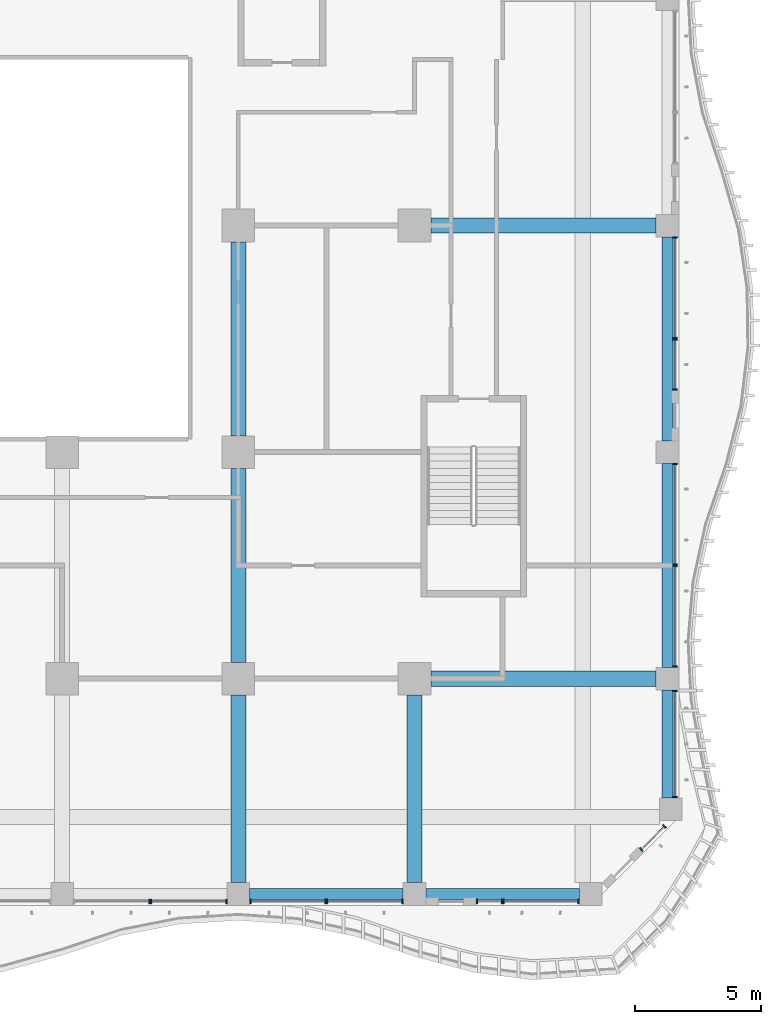
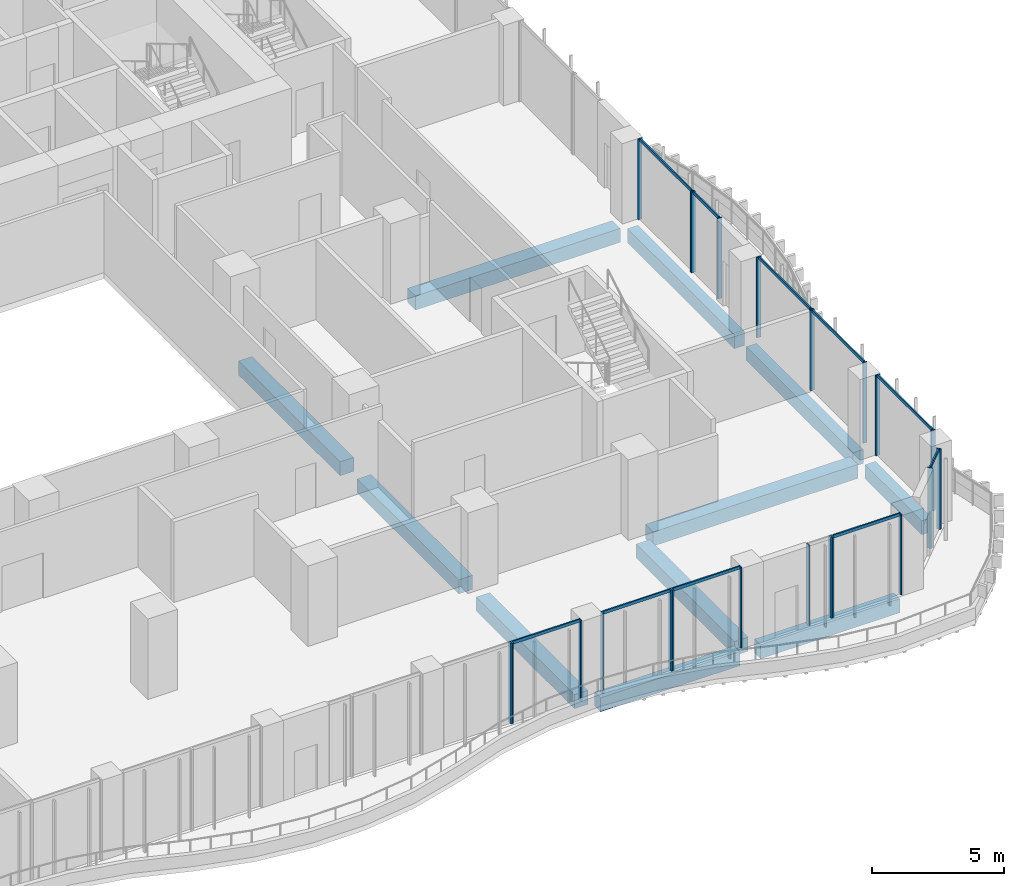
# One storey, part 6 of 26: 33 members, 11 beams, 12 elements without a shape of their own.
"""IFC4 building model written with IfcOpenShell, lengths in metres."""

from ifc_helpers import new_model, si_unit, direction, frame, origin, origin_2d, place, context, subcontext, project, spatial, rectangle, extrude, source, transform, mapped, material, material_profile, profile_set, type_object, element, aggregate, save


model = new_model("IFC4")

# Units and contexts
model_context = context("Model", 3, precision=1e-05, world=origin(), true_north=direction((0.0, 1.0)))
body_context = subcontext(model_context, "Body", "Model", "MODEL_VIEW")
ifc_project = project(units=[si_unit("LENGTHUNIT", "METRE"), si_unit("AREAUNIT", "SQUARE_METRE"), si_unit("VOLUMEUNIT", "CUBIC_METRE"), si_unit("PLANEANGLEUNIT", "RADIAN"), si_unit("MASSUNIT", "GRAM", prefix="KILO")], contexts=[model_context])

# Site, building, storey
site_placement = place(None, origin())
site = spatial("IfcSite", under=ifc_project, at=site_placement, CompositionType="ELEMENT")
building_placement = place(site_placement, origin())
building = spatial("IfcBuilding", under=site, at=building_placement, Name="Kilnfold Tower and Market Hall", CompositionType="ELEMENT")
storey_placement = place(building_placement, frame((0.0, 0.0, 31.0)))
storey = spatial("IfcBuildingStorey", under=building, at=storey_placement, Name="L06", CompositionType="ELEMENT", Elevation=31.0)

# Beams
ifc_material_1 = material(Name="Concrete C45", Category="concrete")
ifc_material_profile_1 = material_profile(ifc_material_1, rectangle(XDim=0.449951171875, YDim=0.64990234375, at=origin_2d()), Name="RC 450x650")
ifc_profile_set_1 = profile_set([ifc_material_profile_1], Name="Concrete C45")
beam_type_1 = type_object("IfcBeamType", Name="EDGE BEAM 450X650 C45", PredefinedType="BEAM", material=ifc_profile_set_1)
shared_shape_1 = source(origin(), body_context, "Body", "SweptSolid", [
    extrude(rectangle(XDim=0.449951171875, YDim=0.64990234375, at=origin_2d()), origin(), (0.0, 0.0, 1.0), 6.10009765625),
])
for number, where, z_axis, x_axis, name in (
    (1, (10.949951171875, -27.550048828125, -0.60498046875), (1.0, 0.0, 0.0), (0.0, 1.0, 0.0), "Beam EB650-B1.5"),
    (2, (17.949951171875, -27.550048828125, -0.60498046875), (1.0, 0.0, 0.0), (0.0, 1.0, 0.0), "Beam EB650-B1.6"),
):
    element("IfcBeam", number, at=place(storey_placement, frame(where, z_axis=z_axis, x_axis=x_axis)), inside=storey, type_object=beam_type_1, Name=name, PredefinedType="BEAM", context=body_context, shape_type="MappedRepresentation", body=[
        mapped(shared_shape_1, transform((0.0, 0.0, 0.0))),
    ])
ifc_material_2 = material(Name="Concrete C45", Category="concrete")
ifc_material_profile_2 = material_profile(ifc_material_2, rectangle(XDim=0.60009765625, YDim=0.64990234375, at=origin_2d()), Name="RC 600x650")
ifc_profile_set_2 = profile_set([ifc_material_profile_2], Name="Concrete C45")
beam_type_2 = type_object("IfcBeamType", Name="BEAM 600X650 C45", PredefinedType="BEAM", material=ifc_profile_set_2)
shared_shape_2 = source(origin(), body_context, "Body", "SweptSolid", [
    extrude(rectangle(XDim=0.60009765625, YDim=0.64990234375, at=origin_2d()), origin(), (0.0, 0.0, 1.0), 8.9501953125),
])
for number, where, z_axis, x_axis, name in (
    (3, (18.14990234375, -19.0, -0.60498046875), (1.0, 0.0, 0.0), (0.0, 1.0, 0.0), "Beam BB650-B1.12"),
    (4, (18.14990234375, -1.0, -0.60498046875), (1.0, 0.0, 0.0), (0.0, 1.0, 0.0), "Beam BB650-B1.20"),
):
    element("IfcBeam", number, at=place(storey_placement, frame(where, z_axis=z_axis, x_axis=x_axis)), inside=storey, type_object=beam_type_2, Name=name, PredefinedType="BEAM", context=body_context, shape_type="MappedRepresentation", body=[
        mapped(shared_shape_2, transform((0.0, 0.0, 0.0))),
    ])
shared_shape_3 = source(origin(), body_context, "Body", "SweptSolid", [
    extrude(rectangle(XDim=0.449951171875, YDim=0.64990234375, at=origin_2d()), origin(), (0.0, 0.0, 1.0), 8.10009765625),
])
for number, where, z_axis, x_axis, name in (
    (5, (27.550048828125, -18.550048828125, -0.60498046875), (0.0, 1.0, 0.0), (-1.0, 0.0, 0.0), "Beam EB650-B1.52"),
    (6, (27.550048828125, -9.550048828125, -0.60498046875), (0.0, 1.0, 0.0), (-1.0, 0.0, 0.0), "Beam EB650-B1.58"),
):
    element("IfcBeam", number, at=place(storey_placement, frame(where, z_axis=z_axis, x_axis=x_axis)), inside=storey, type_object=beam_type_1, Name=name, PredefinedType="BEAM", context=body_context, shape_type="MappedRepresentation", body=[
        mapped(shared_shape_3, transform((0.0, 0.0, 0.0))),
    ])
shared_shape_4 = source(origin(), body_context, "Body", "SweptSolid", [
    extrude(rectangle(XDim=0.60009765625, YDim=0.64990234375, at=origin_2d()), origin(), (0.0, 0.0, 1.0), 7.4501953125),
])
for number, where, z_axis, x_axis, name in (
    (7, (10.5, -27.10009765625, -0.60498046875), (0.0, 1.0, 0.0), (-1.0, 0.0, 0.0), "Beam BB650-B1.47"),
    (8, (17.5, -27.10009765625, -0.60498046875), (0.0, 1.0, 0.0), (-1.0, 0.0, 0.0), "Beam BB650-B1.50"),
):
    element("IfcBeam", number, at=place(storey_placement, frame(where, z_axis=z_axis, x_axis=x_axis)), inside=storey, type_object=beam_type_2, Name=name, PredefinedType="BEAM", context=body_context, shape_type="MappedRepresentation", body=[
        mapped(shared_shape_4, transform((0.0, 0.0, 0.0))),
    ])
shared_shape_5 = source(origin(), body_context, "Body", "SweptSolid", [
    extrude(rectangle(XDim=0.60009765625, YDim=0.64990234375, at=origin_2d()), origin(), (0.0, 0.0, 1.0), 7.7001953125),
])
for number, where, z_axis, x_axis, name in (
    (9, (10.5, -18.35009765625, -0.60498046875), (0.0, 1.0, 0.0), (-1.0, 0.0, 0.0), "Beam BB650-B1.48"),
    (10, (10.5, -9.35009765625, -0.60498046875), (0.0, 1.0, 0.0), (-1.0, 0.0, 0.0), "Beam BB650-B1.49"),
):
    element("IfcBeam", number, at=place(storey_placement, frame(where, z_axis=z_axis, x_axis=x_axis)), inside=storey, type_object=beam_type_2, Name=name, PredefinedType="BEAM", context=body_context, shape_type="MappedRepresentation", body=[
        mapped(shared_shape_5, transform((0.0, 0.0, 0.0))),
    ])
shared_shape_6 = source(origin(), body_context, "Body", "SweptSolid", [
    extrude(rectangle(XDim=0.449951171875, YDim=0.64990234375, at=origin_2d()), origin(), (0.0, 0.0, 1.0), 4.28173828125),
])
beam_placement = place(storey_placement, frame((27.550048828125, -23.731689453125, -0.60498046875), z_axis=(0.0, 1.0, 0.0), x_axis=(-1.0, 0.0, 0.0)))
element("IfcBeam", 11, at=beam_placement, inside=storey, type_object=beam_type_1, Name="Beam EB650-B1.51", PredefinedType="BEAM", context=body_context, shape_type="MappedRepresentation", body=[
    mapped(shared_shape_6, transform((0.0, 0.0, 0.0))),
])

# Curtain wall, member
ifc_material_3 = material(Name="Aluminium and double glazing", Category="aluminium")
curtain_wall_type = type_object("IfcCurtainWallType", Name="CW OF1 VALLEY GLAZING", PredefinedType="NOTDEFINED", material=ifc_material_3)
curtain_wall_1_placement = place(storey_placement, origin())
curtain_wall_1 = element("IfcCurtainWall", 12, at=curtain_wall_1_placement, inside=storey, type_object=curtain_wall_type, Name="Curtain wall CW1 L06 S", PredefinedType="NOTDEFINED")
ifc_material_4 = material(Name="Aluminium", Category="aluminium")
ifc_material_profile_3 = material_profile(ifc_material_4, rectangle(XDim=0.06005859375, YDim=0.179931640625, at=origin_2d()), Name="MULLION 60x180")
ifc_profile_set_3 = profile_set([ifc_material_profile_3], Name="Aluminium")
member_type_1 = type_object("IfcMemberType", Name="MULLION 60X180", PredefinedType="MULLION", material=ifc_profile_set_3)
shared_shape_7 = source(origin(), body_context, "Body", "SweptSolid", [
    extrude(rectangle(XDim=0.06005859375, YDim=0.179931640625, at=origin_2d()), origin(), (0.0, 0.0, 1.0), 3.719970703125),
])
member_1_placement = place(storey_placement, frame((6.969970703125, -27.85009765625, 0.0), z_axis=(0.0, 0.0, 1.0), x_axis=(1.0, 0.0, 0.0)))
member_1 = element("IfcMember", 13, at=member_1_placement, type_object=member_type_1, Name="CW1 mullion 2", PredefinedType="MULLION", context=body_context, shape_type="MappedRepresentation", body=[
    mapped(shared_shape_7, transform((0.0, 0.0, 0.0))),
])
aggregate(curtain_wall_1, [member_1])

# Curtain wall, members
curtain_wall_2_placement = place(storey_placement, origin())
curtain_wall_2 = element("IfcCurtainWall", 14, at=curtain_wall_2_placement, inside=storey, type_object=curtain_wall_type, Name="Curtain wall CW1 L06 S", PredefinedType="NOTDEFINED")
member_2_placement = place(storey_placement, frame((7.030029296875, -27.85009765625, 0.0), z_axis=(0.0, 0.0, 1.0), x_axis=(1.0, 0.0, 0.0)))
member_2 = element("IfcMember", 15, at=member_2_placement, type_object=member_type_1, Name="CW1 mullion 1", PredefinedType="MULLION", context=body_context, shape_type="MappedRepresentation", body=[
    mapped(shared_shape_7, transform((0.0, 0.0, 0.0))),
])
member_3_placement = place(storey_placement, frame((10.02001953125, -27.85009765625, 0.0), z_axis=(0.0, 0.0, 1.0), x_axis=(1.0, 0.0, 0.0)))
member_3 = element("IfcMember", 16, at=member_3_placement, type_object=member_type_1, Name="CW1 mullion 2", PredefinedType="MULLION", context=body_context, shape_type="MappedRepresentation", body=[
    mapped(shared_shape_7, transform((0.0, 0.0, 0.0))),
])

curtain_wall_3_placement = place(storey_placement, origin())
curtain_wall_3 = element("IfcCurtainWall", 17, at=curtain_wall_3_placement, inside=storey, type_object=curtain_wall_type, Name="Curtain wall CW1 L06 S", PredefinedType="NOTDEFINED")
member_4_placement = place(storey_placement, frame((10.97998046875, -27.85009765625, 0.0), z_axis=(0.0, 0.0, 1.0), x_axis=(1.0, 0.0, 0.0)))
member_4 = element("IfcMember", 18, at=member_4_placement, type_object=member_type_1, Name="CW1 mullion 1", PredefinedType="MULLION", context=body_context, shape_type="MappedRepresentation", body=[
    mapped(shared_shape_7, transform((0.0, 0.0, 0.0))),
])
member_5_placement = place(storey_placement, frame((13.969970703125, -27.85009765625, 0.0), z_axis=(0.0, 0.0, 1.0), x_axis=(1.0, 0.0, 0.0)))
member_5 = element("IfcMember", 19, at=member_5_placement, type_object=member_type_1, Name="CW1 mullion 2", PredefinedType="MULLION", context=body_context, shape_type="MappedRepresentation", body=[
    mapped(shared_shape_7, transform((0.0, 0.0, 0.0))),
])

curtain_wall_4_placement = place(storey_placement, origin())
curtain_wall_4 = element("IfcCurtainWall", 20, at=curtain_wall_4_placement, inside=storey, type_object=curtain_wall_type, Name="Curtain wall CW1 L06 S", PredefinedType="NOTDEFINED")
member_6_placement = place(storey_placement, frame((14.030029296875, -27.85009765625, 0.0), z_axis=(0.0, 0.0, 1.0), x_axis=(1.0, 0.0, 0.0)))
member_6 = element("IfcMember", 21, at=member_6_placement, type_object=member_type_1, Name="CW1 mullion 1", PredefinedType="MULLION", context=body_context, shape_type="MappedRepresentation", body=[
    mapped(shared_shape_7, transform((0.0, 0.0, 0.0))),
])
member_7_placement = place(storey_placement, frame((17.02001953125, -27.85009765625, 0.0), z_axis=(0.0, 0.0, 1.0), x_axis=(1.0, 0.0, 0.0)))
member_7 = element("IfcMember", 22, at=member_7_placement, type_object=member_type_1, Name="CW1 mullion 2", PredefinedType="MULLION", context=body_context, shape_type="MappedRepresentation", body=[
    mapped(shared_shape_7, transform((0.0, 0.0, 0.0))),
])

curtain_wall_5_placement = place(storey_placement, origin())
curtain_wall_5 = element("IfcCurtainWall", 23, at=curtain_wall_5_placement, inside=storey, type_object=curtain_wall_type, Name="Curtain wall CW1 L06 S", PredefinedType="NOTDEFINED")
member_8_placement = place(storey_placement, frame((19.97998046875, -27.85009765625, 0.0), z_axis=(0.0, 0.0, 1.0), x_axis=(1.0, 0.0, 0.0)))
member_8 = element("IfcMember", 24, at=member_8_placement, type_object=member_type_1, Name="CW1 mullion 1", PredefinedType="MULLION", context=body_context, shape_type="MappedRepresentation", body=[
    mapped(shared_shape_7, transform((0.0, 0.0, 0.0))),
])
member_9_placement = place(storey_placement, frame((20.969970703125, -27.85009765625, 0.0), z_axis=(0.0, 0.0, 1.0), x_axis=(1.0, 0.0, 0.0)))
member_9 = element("IfcMember", 25, at=member_9_placement, type_object=member_type_1, Name="CW1 mullion 2", PredefinedType="MULLION", context=body_context, shape_type="MappedRepresentation", body=[
    mapped(shared_shape_7, transform((0.0, 0.0, 0.0))),
])
aggregate(curtain_wall_5, [member_8, member_9])

curtain_wall_6_placement = place(storey_placement, origin())
curtain_wall_6 = element("IfcCurtainWall", 26, at=curtain_wall_6_placement, inside=storey, type_object=curtain_wall_type, Name="Curtain wall CW1 L06 S", PredefinedType="NOTDEFINED")
member_10_placement = place(storey_placement, frame((21.030029296875, -27.85009765625, 0.0), z_axis=(0.0, 0.0, 1.0), x_axis=(1.0, 0.0, 0.0)))
member_10 = element("IfcMember", 27, at=member_10_placement, type_object=member_type_1, Name="CW1 mullion 1", PredefinedType="MULLION", context=body_context, shape_type="MappedRepresentation", body=[
    mapped(shared_shape_7, transform((0.0, 0.0, 0.0))),
])
member_11_placement = place(storey_placement, frame((24.02001953125, -27.85009765625, 0.0), z_axis=(0.0, 0.0, 1.0), x_axis=(1.0, 0.0, 0.0)))
member_11 = element("IfcMember", 28, at=member_11_placement, type_object=member_type_1, Name="CW1 mullion 2", PredefinedType="MULLION", context=body_context, shape_type="MappedRepresentation", body=[
    mapped(shared_shape_7, transform((0.0, 0.0, 0.0))),
])

curtain_wall_7_placement = place(storey_placement, origin())
curtain_wall_7 = element("IfcCurtainWall", 29, at=curtain_wall_7_placement, inside=storey, type_object=curtain_wall_type, Name="Curtain wall CW1 L06 SE", PredefinedType="NOTDEFINED")
member_12_placement = place(storey_placement, frame((26.50439453125, -25.783447265625, 0.0), z_axis=(0.0, 0.0, 1.0), x_axis=(0.707106781187, 0.707106781187, 0.0)))
member_12 = element("IfcMember", 30, at=member_12_placement, type_object=member_type_1, Name="CW1 mullion 1", PredefinedType="MULLION", context=body_context, shape_type="MappedRepresentation", body=[
    mapped(shared_shape_7, transform((0.0, 0.0, 0.0))),
])
member_13_placement = place(storey_placement, frame((27.4228515625, -24.865234375, 0.0), z_axis=(0.0, 0.0, 1.0), x_axis=(0.707106781187, 0.707106781187, 0.0)))
member_13 = element("IfcMember", 31, at=member_13_placement, type_object=member_type_1, Name="CW1 mullion 2", PredefinedType="MULLION", context=body_context, shape_type="MappedRepresentation", body=[
    mapped(shared_shape_7, transform((0.0, 0.0, 0.0))),
])

curtain_wall_8_placement = place(storey_placement, origin())
curtain_wall_8 = element("IfcCurtainWall", 32, at=curtain_wall_8_placement, inside=storey, type_object=curtain_wall_type, Name="Curtain wall CW1 L06 E", PredefinedType="NOTDEFINED")
member_14_placement = place(storey_placement, frame((27.85009765625, -23.701904296875, 0.0), z_axis=(0.0, 0.0, 1.0), x_axis=(0.0, 1.0, 0.0)))
member_14 = element("IfcMember", 33, at=member_14_placement, type_object=member_type_1, Name="CW1 mullion 1", PredefinedType="MULLION", context=body_context, shape_type="MappedRepresentation", body=[
    mapped(shared_shape_7, transform((0.0, 0.0, 0.0))),
])
member_15_placement = place(storey_placement, frame((27.85009765625, -19.47998046875, 0.0), z_axis=(0.0, 0.0, 1.0), x_axis=(0.0, 1.0, 0.0)))
member_15 = element("IfcMember", 34, at=member_15_placement, type_object=member_type_1, Name="CW1 mullion 2", PredefinedType="MULLION", context=body_context, shape_type="MappedRepresentation", body=[
    mapped(shared_shape_7, transform((0.0, 0.0, 0.0))),
])

curtain_wall_9_placement = place(storey_placement, origin())
curtain_wall_9 = element("IfcCurtainWall", 35, at=curtain_wall_9_placement, inside=storey, type_object=curtain_wall_type, Name="Curtain wall CW1 L06 E", PredefinedType="NOTDEFINED")
member_16_placement = place(storey_placement, frame((27.85009765625, -18.52001953125, 0.0), z_axis=(0.0, 0.0, 1.0), x_axis=(0.0, 1.0, 0.0)))
member_16 = element("IfcMember", 36, at=member_16_placement, type_object=member_type_1, Name="CW1 mullion 1", PredefinedType="MULLION", context=body_context, shape_type="MappedRepresentation", body=[
    mapped(shared_shape_7, transform((0.0, 0.0, 0.0))),
])
member_17_placement = place(storey_placement, frame((27.85009765625, -14.530029296875, 0.0), z_axis=(0.0, 0.0, 1.0), x_axis=(0.0, 1.0, 0.0)))
member_17 = element("IfcMember", 37, at=member_17_placement, type_object=member_type_1, Name="CW1 mullion 2", PredefinedType="MULLION", context=body_context, shape_type="MappedRepresentation", body=[
    mapped(shared_shape_7, transform((0.0, 0.0, 0.0))),
])

curtain_wall_10_placement = place(storey_placement, origin())
curtain_wall_10 = element("IfcCurtainWall", 38, at=curtain_wall_10_placement, inside=storey, type_object=curtain_wall_type, Name="Curtain wall CW1 L06 E", PredefinedType="NOTDEFINED")
member_18_placement = place(storey_placement, frame((27.85009765625, -14.469970703125, 0.0), z_axis=(0.0, 0.0, 1.0), x_axis=(0.0, 1.0, 0.0)))
member_18 = element("IfcMember", 39, at=member_18_placement, type_object=member_type_1, Name="CW1 mullion 1", PredefinedType="MULLION", context=body_context, shape_type="MappedRepresentation", body=[
    mapped(shared_shape_7, transform((0.0, 0.0, 0.0))),
])
member_19_placement = place(storey_placement, frame((27.85009765625, -10.47998046875, 0.0), z_axis=(0.0, 0.0, 1.0), x_axis=(0.0, 1.0, 0.0)))
member_19 = element("IfcMember", 40, at=member_19_placement, type_object=member_type_1, Name="CW1 mullion 2", PredefinedType="MULLION", context=body_context, shape_type="MappedRepresentation", body=[
    mapped(shared_shape_7, transform((0.0, 0.0, 0.0))),
])

curtain_wall_11_placement = place(storey_placement, origin())
curtain_wall_11 = element("IfcCurtainWall", 41, at=curtain_wall_11_placement, inside=storey, type_object=curtain_wall_type, Name="Curtain wall CW1 L06 E", PredefinedType="NOTDEFINED")
member_20_placement = place(storey_placement, frame((27.85009765625, -7.52001953125, 0.0), z_axis=(0.0, 0.0, 1.0), x_axis=(0.0, 1.0, 0.0)))
member_20 = element("IfcMember", 42, at=member_20_placement, type_object=member_type_1, Name="CW1 mullion 1", PredefinedType="MULLION", context=body_context, shape_type="MappedRepresentation", body=[
    mapped(shared_shape_7, transform((0.0, 0.0, 0.0))),
])
member_21_placement = place(storey_placement, frame((27.85009765625, -5.530029296875, 0.0), z_axis=(0.0, 0.0, 1.0), x_axis=(0.0, 1.0, 0.0)))
member_21 = element("IfcMember", 43, at=member_21_placement, type_object=member_type_1, Name="CW1 mullion 2", PredefinedType="MULLION", context=body_context, shape_type="MappedRepresentation", body=[
    mapped(shared_shape_7, transform((0.0, 0.0, 0.0))),
])

curtain_wall_12_placement = place(storey_placement, origin())
curtain_wall_12 = element("IfcCurtainWall", 44, at=curtain_wall_12_placement, inside=storey, type_object=curtain_wall_type, Name="Curtain wall CW1 L06 E", PredefinedType="NOTDEFINED")
member_22_placement = place(storey_placement, frame((27.85009765625, -5.469970703125, 0.0), z_axis=(0.0, 0.0, 1.0), x_axis=(0.0, 1.0, 0.0)))
member_22 = element("IfcMember", 45, at=member_22_placement, type_object=member_type_1, Name="CW1 mullion 1", PredefinedType="MULLION", context=body_context, shape_type="MappedRepresentation", body=[
    mapped(shared_shape_7, transform((0.0, 0.0, 0.0))),
])
member_23_placement = place(storey_placement, frame((27.85009765625, -1.47998046875, 0.0), z_axis=(0.0, 0.0, 1.0), x_axis=(0.0, 1.0, 0.0)))
member_23 = element("IfcMember", 46, at=member_23_placement, type_object=member_type_1, Name="CW1 mullion 2", PredefinedType="MULLION", context=body_context, shape_type="MappedRepresentation", body=[
    mapped(shared_shape_7, transform((0.0, 0.0, 0.0))),
])

# Member
ifc_material_5 = material(Name="Aluminium", Category="aluminium")
ifc_material_profile_4 = material_profile(ifc_material_5, rectangle(XDim=0.06005859375, YDim=0.139892578125, at=origin_2d()), Name="TRANSOM 60x140")
ifc_profile_set_4 = profile_set([ifc_material_profile_4], Name="Aluminium")
member_type_2 = type_object("IfcMemberType", Name="TRANSOM 60X140", PredefinedType="USERDEFINED", material=ifc_profile_set_4)
shared_shape_8 = source(origin(), body_context, "Body", "SweptSolid", [
    extrude(rectangle(XDim=0.06005859375, YDim=0.139892578125, at=origin_2d()), origin(), (0.0, 0.0, 1.0), 2.929931640625),
])
member_24_placement = place(storey_placement, frame((7.06005859375, -27.85009765625, 3.68994140625), z_axis=(1.0, 0.0, 0.0), x_axis=(0.0, 1.0, 0.0)))
member_24 = element("IfcMember", 47, at=member_24_placement, type_object=member_type_2, Name="CW1 transom 1.2", ObjectType="TRANSOM", PredefinedType="USERDEFINED", context=body_context, shape_type="MappedRepresentation", body=[
    mapped(shared_shape_8, transform((0.0, 0.0, 0.0))),
])

aggregate(curtain_wall_2, [member_2, member_3, member_24])

member_25_placement = place(storey_placement, frame((11.010009765625, -27.85009765625, 3.68994140625), z_axis=(1.0, 0.0, 0.0), x_axis=(0.0, 1.0, 0.0)))
member_25 = element("IfcMember", 48, at=member_25_placement, type_object=member_type_2, Name="CW1 transom 1.2", ObjectType="TRANSOM", PredefinedType="USERDEFINED", context=body_context, shape_type="MappedRepresentation", body=[
    mapped(shared_shape_8, transform((0.0, 0.0, 0.0))),
])

aggregate(curtain_wall_3, [member_4, member_5, member_25])

member_26_placement = place(storey_placement, frame((14.06005859375, -27.85009765625, 3.68994140625), z_axis=(1.0, 0.0, 0.0), x_axis=(0.0, 1.0, 0.0)))
member_26 = element("IfcMember", 49, at=member_26_placement, type_object=member_type_2, Name="CW1 transom 1.2", ObjectType="TRANSOM", PredefinedType="USERDEFINED", context=body_context, shape_type="MappedRepresentation", body=[
    mapped(shared_shape_8, transform((0.0, 0.0, 0.0))),
])

aggregate(curtain_wall_4, [member_6, member_7, member_26])

member_27_placement = place(storey_placement, frame((21.06005859375, -27.85009765625, 3.68994140625), z_axis=(1.0, 0.0, 0.0), x_axis=(0.0, 1.0, 0.0)))
member_27 = element("IfcMember", 50, at=member_27_placement, type_object=member_type_2, Name="CW1 transom 1.2", ObjectType="TRANSOM", PredefinedType="USERDEFINED", context=body_context, shape_type="MappedRepresentation", body=[
    mapped(shared_shape_8, transform((0.0, 0.0, 0.0))),
])

aggregate(curtain_wall_6, [member_10, member_11, member_27])

shared_shape_9 = source(origin(), body_context, "Body", "SweptSolid", [
    extrude(rectangle(XDim=0.06005859375, YDim=0.139892578125, at=origin_2d()), origin(), (0.0, 0.0, 1.0), 1.23876953125),
])
member_28_placement = place(storey_placement, frame((26.525634765625, -25.76220703125, 3.68994140625), z_axis=(0.707106781187, 0.707106781187, 0.0), x_axis=(-0.707106781187, 0.707106781187, 0.0)))
member_28 = element("IfcMember", 51, at=member_28_placement, type_object=member_type_2, Name="CW1 transom 1.2", ObjectType="TRANSOM", PredefinedType="USERDEFINED", context=body_context, shape_type="MappedRepresentation", body=[
    mapped(shared_shape_9, transform((0.0, 0.0, 0.0))),
])

aggregate(curtain_wall_7, [member_12, member_13, member_28])

shared_shape_10 = source(origin(), body_context, "Body", "SweptSolid", [
    extrude(rectangle(XDim=0.06005859375, YDim=0.139892578125, at=origin_2d()), origin(), (0.0, 0.0, 1.0), 3.929931640625),
])
member_29_placement = place(storey_placement, frame((27.85009765625, -18.489990234375, 3.68994140625), z_axis=(0.0, 1.0, 0.0), x_axis=(-1.0, 0.0, 0.0)))
member_29 = element("IfcMember", 52, at=member_29_placement, type_object=member_type_2, Name="CW1 transom 1.2", ObjectType="TRANSOM", PredefinedType="USERDEFINED", context=body_context, shape_type="MappedRepresentation", body=[
    mapped(shared_shape_10, transform((0.0, 0.0, 0.0))),
])

aggregate(curtain_wall_9, [member_16, member_17, member_29])

member_30_placement = place(storey_placement, frame((27.85009765625, -14.43994140625, 3.68994140625), z_axis=(0.0, 1.0, 0.0), x_axis=(-1.0, 0.0, 0.0)))
member_30 = element("IfcMember", 53, at=member_30_placement, type_object=member_type_2, Name="CW1 transom 1.2", ObjectType="TRANSOM", PredefinedType="USERDEFINED", context=body_context, shape_type="MappedRepresentation", body=[
    mapped(shared_shape_10, transform((0.0, 0.0, 0.0))),
])

aggregate(curtain_wall_10, [member_18, member_19, member_30])

member_31_placement = place(storey_placement, frame((27.85009765625, -5.43994140625, 3.68994140625), z_axis=(0.0, 1.0, 0.0), x_axis=(-1.0, 0.0, 0.0)))
member_31 = element("IfcMember", 54, at=member_31_placement, type_object=member_type_2, Name="CW1 transom 1.2", ObjectType="TRANSOM", PredefinedType="USERDEFINED", context=body_context, shape_type="MappedRepresentation", body=[
    mapped(shared_shape_10, transform((0.0, 0.0, 0.0))),
])

aggregate(curtain_wall_12, [member_22, member_23, member_31])

shared_shape_11 = source(origin(), body_context, "Body", "SweptSolid", [
    extrude(rectangle(XDim=0.06005859375, YDim=0.139892578125, at=origin_2d()), origin(), (0.0, 0.0, 1.0), 1.929931640625),
])
member_32_placement = place(storey_placement, frame((27.85009765625, -7.489990234375, 3.68994140625), z_axis=(0.0, 1.0, 0.0), x_axis=(-1.0, 0.0, 0.0)))
member_32 = element("IfcMember", 55, at=member_32_placement, type_object=member_type_2, Name="CW1 transom 1.2", ObjectType="TRANSOM", PredefinedType="USERDEFINED", context=body_context, shape_type="MappedRepresentation", body=[
    mapped(shared_shape_11, transform((0.0, 0.0, 0.0))),
])

aggregate(curtain_wall_11, [member_20, member_21, member_32])

shared_shape_12 = source(origin(), body_context, "Body", "SweptSolid", [
    extrude(rectangle(XDim=0.06005859375, YDim=0.139892578125, at=origin_2d()), origin(), (0.0, 0.0, 1.0), 4.161865234375),
])
member_33_placement = place(storey_placement, frame((27.85009765625, -23.671875, 3.68994140625), z_axis=(0.0, 1.0, 0.0), x_axis=(-1.0, 0.0, 0.0)))
member_33 = element("IfcMember", 56, at=member_33_placement, type_object=member_type_2, Name="CW1 transom 1.2", ObjectType="TRANSOM", PredefinedType="USERDEFINED", context=body_context, shape_type="MappedRepresentation", body=[
    mapped(shared_shape_12, transform((0.0, 0.0, 0.0))),
])

aggregate(curtain_wall_8, [member_14, member_15, member_33])

save(model, "model.ifc")
